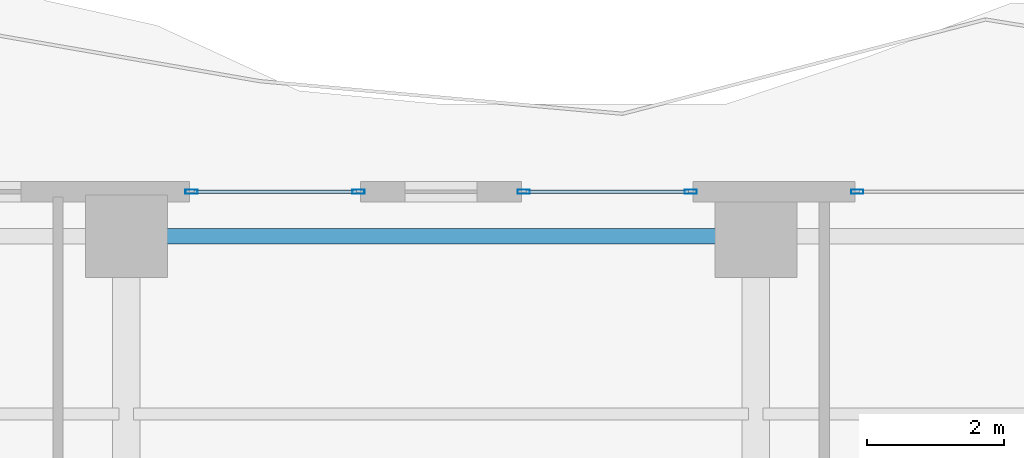
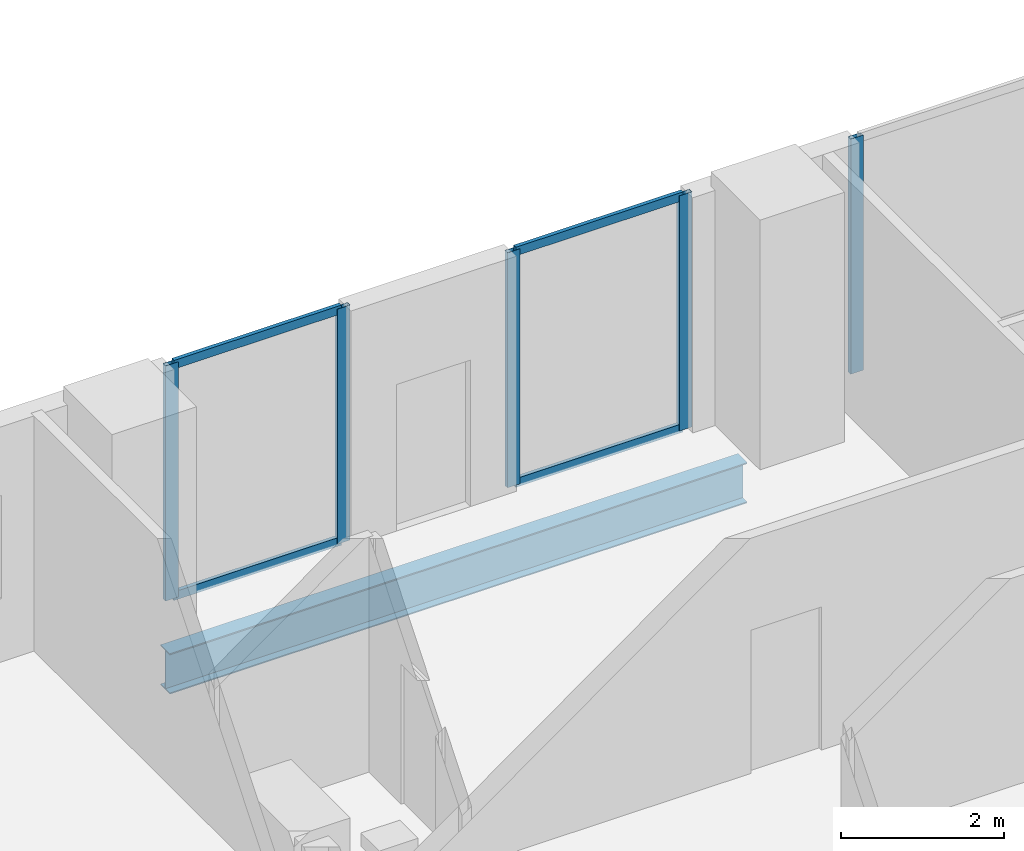
# One storey, part 19 of 32: 9 members, 1 beam, 3 elements without a shape of their own.
"""IFC4 building model written with IfcOpenShell, lengths in metres."""

from ifc_helpers import new_model, si_unit, direction, frame, origin, origin_2d, place, context, subcontext, project, spatial, hollow_rectangle, i_section, extrude, material, layer, layer_set, material_profile, profile_set, type_object, element, aggregate, save


model = new_model("IFC4")

# Units and contexts
model_context = context("Model", 3, precision=1e-05, world=origin(), true_north=direction((0.0, 1.0)))
body_context = subcontext(model_context, "Body", "Model", "MODEL_VIEW")
ifc_project = project(units=[si_unit("LENGTHUNIT", "METRE"), si_unit("AREAUNIT", "SQUARE_METRE"), si_unit("VOLUMEUNIT", "CUBIC_METRE"), si_unit("PLANEANGLEUNIT", "RADIAN"), si_unit("MASSUNIT", "GRAM", prefix="KILO")], contexts=[model_context])

# Site, building, storey
site_placement = place(None, origin())
site = spatial("IfcSite", under=ifc_project, at=site_placement, CompositionType="ELEMENT")
building_placement = place(site_placement, origin())
building = spatial("IfcBuilding", under=site, at=building_placement, Name="Zuhayl Quay Hotel", CompositionType="ELEMENT")
storey_placement = place(building_placement, frame((0.0, 0.0, 188.64990234375)))
storey = spatial("IfcBuildingStorey", under=building, at=storey_placement, Name="L47", CompositionType="ELEMENT", Elevation=188.64990234375)

# Beam
ifc_material_1 = material(Name="Steel ASTM A992 Grade 50", Category="steel")
ifc_material_profile_1 = material_profile(ifc_material_1, i_section(OverallWidth=0.22802734375, OverallDepth=0.60693359375, WebThickness=0.01123046875, FlangeThickness=0.017333984375, at=origin_2d()), Name="W24X76")
ifc_profile_set_1 = profile_set([ifc_material_profile_1], Name="Steel ASTM A992 Grade 50")
beam_type = type_object("IfcBeamType", Name="BM_B3_W24X76", PredefinedType="BEAM", material=ifc_profile_set_1)
beam_placement = place(storey_placement, frame((4.10009765625, 32.949951171875, -0.5234375), z_axis=(-1.0, 0.0, 0.0), x_axis=(0.0, -1.0, 0.0)))
element("IfcBeam", 1, at=beam_placement, inside=storey, type_object=beam_type, Name="L47 Floor Beam RG_L47_08", PredefinedType="BEAM", context=body_context, shape_type="SweptSolid", body=[
    extrude(i_section(OverallWidth=0.22802734375, OverallDepth=0.60693359375, WebThickness=0.01123046875, FlangeThickness=0.017333984375, at=origin_2d()), origin(), (0.0, 0.0, 1.0), 8.2001953125),
])

# Curtain wall, members
ifc_material_2 = material(Name="Anodised Aluminium 6063-T6", Category="aluminium")
ifc_layer = layer(ifc_material_2, 0.175048828125, Name="Anodised Aluminium 6063-T6", Category="aluminium")
ifc_layer_set = layer_set([ifc_layer], Name="Anodised Aluminium 6063-T6")
curtain_wall_type = type_object("IfcCurtainWallType", Name="CW_SYS_Z3", PredefinedType="USERDEFINED", material=ifc_layer_set)
curtain_wall_1_placement = place(storey_placement, origin())
curtain_wall_1 = element("IfcCurtainWall", 2, at=curtain_wall_1_placement, inside=storey, type_object=curtain_wall_type, Name="L47 Curtain Wall ENV_L47_N_CW3", ObjectType="UNITISED CURTAIN WALL", PredefinedType="USERDEFINED")
ifc_material_3 = material(Name="Black-anodised aluminium 6063-T6", Category="aluminium")
ifc_material_profile_2 = material_profile(ifc_material_3, hollow_rectangle(XDim=0.06494140625, YDim=0.179931640625, WallThickness=0.00341796875, at=origin_2d()), Name="ALU180X65")
ifc_profile_set_2 = profile_set([ifc_material_profile_2], Name="Black-anodised aluminium 6063-T6")
member_type_1 = type_object("IfcMemberType", Name="MB_CW_MUL_180", PredefinedType="MULLION", material=ifc_profile_set_2)
member_1_placement = place(storey_placement, frame((-3.6474609375, 33.60009765625, 0.0), z_axis=(0.0, 0.0, 1.0), x_axis=(0.0, 1.0, 0.0)))
member_1 = element("IfcMember", 3, at=member_1_placement, type_object=member_type_1, Name="CW-Z3 mullion 1", PredefinedType="MULLION", context=body_context, shape_type="SweptSolid", body=[
    extrude(hollow_rectangle(XDim=0.06494140625, YDim=0.179931640625, WallThickness=0.00341796875, at=origin_2d()), origin(), (0.0, 0.0, 1.0), 3.530029296875),
])
member_2_placement = place(storey_placement, frame((-1.20751953125, 33.60009765625, 0.0), z_axis=(0.0, 0.0, 1.0), x_axis=(0.0, 1.0, 0.0)))
member_2 = element("IfcMember", 4, at=member_2_placement, type_object=member_type_1, Name="CW-Z3 mullion 2", PredefinedType="MULLION", context=body_context, shape_type="SweptSolid", body=[
    extrude(hollow_rectangle(XDim=0.06494140625, YDim=0.179931640625, WallThickness=0.00341796875, at=origin_2d()), origin(), (0.0, 0.0, 1.0), 3.530029296875),
])

curtain_wall_2_placement = place(storey_placement, origin())
curtain_wall_2 = element("IfcCurtainWall", 5, at=curtain_wall_2_placement, inside=storey, type_object=curtain_wall_type, Name="L47 Curtain Wall ENV_L47_N_CW4", ObjectType="UNITISED CURTAIN WALL", PredefinedType="USERDEFINED")
member_3_placement = place(storey_placement, frame((1.20751953125, 33.60009765625, 0.0), z_axis=(0.0, 0.0, 1.0), x_axis=(0.0, 1.0, 0.0)))
member_3 = element("IfcMember", 6, at=member_3_placement, type_object=member_type_1, Name="CW-Z3 mullion 1", PredefinedType="MULLION", context=body_context, shape_type="SweptSolid", body=[
    extrude(hollow_rectangle(XDim=0.06494140625, YDim=0.179931640625, WallThickness=0.00341796875, at=origin_2d()), origin(), (0.0, 0.0, 1.0), 3.530029296875),
])
member_4_placement = place(storey_placement, frame((3.6474609375, 33.60009765625, 0.0), z_axis=(0.0, 0.0, 1.0), x_axis=(0.0, 1.0, 0.0)))
member_4 = element("IfcMember", 7, at=member_4_placement, type_object=member_type_1, Name="CW-Z3 mullion 2", PredefinedType="MULLION", context=body_context, shape_type="SweptSolid", body=[
    extrude(hollow_rectangle(XDim=0.06494140625, YDim=0.179931640625, WallThickness=0.00341796875, at=origin_2d()), origin(), (0.0, 0.0, 1.0), 3.530029296875),
])

# Curtain wall, member
curtain_wall_3_placement = place(storey_placement, origin())
curtain_wall_3 = element("IfcCurtainWall", 8, at=curtain_wall_3_placement, inside=storey, type_object=curtain_wall_type, Name="L47 Curtain Wall ENV_L47_N_CW5", ObjectType="UNITISED CURTAIN WALL", PredefinedType="USERDEFINED")
member_5_placement = place(storey_placement, frame((6.08251953125, 33.60009765625, 0.0), z_axis=(0.0, 0.0, 1.0), x_axis=(0.0, 1.0, 0.0)))
member_5 = element("IfcMember", 9, at=member_5_placement, type_object=member_type_1, Name="CW-Z3 mullion 1", PredefinedType="MULLION", context=body_context, shape_type="SweptSolid", body=[
    extrude(hollow_rectangle(XDim=0.06494140625, YDim=0.179931640625, WallThickness=0.00341796875, at=origin_2d()), origin(), (0.0, 0.0, 1.0), 3.530029296875),
])
aggregate(curtain_wall_3, [member_5])

# Member
ifc_material_profile_3 = material_profile(ifc_material_3, hollow_rectangle(XDim=0.054931640625, YDim=0.1298828125, WallThickness=0.0029296875, at=origin_2d()), Name="ALU130X55")
ifc_profile_set_3 = profile_set([ifc_material_profile_3], Name="Black-anodised aluminium 6063-T6")
member_type_2 = type_object("IfcMemberType", Name="MB_CW_TRN_130", PredefinedType="USERDEFINED", material=ifc_profile_set_3)
member_6_placement = place(storey_placement, frame((-3.614990234375, 33.60009765625, 0.027587890625), z_axis=(1.0, 0.0, 0.0), x_axis=(0.0, 1.0, 0.0)))
member_6 = element("IfcMember", 10, at=member_6_placement, type_object=member_type_2, Name="CW-Z3 transom 1.1", ObjectType="TRANSOM", PredefinedType="USERDEFINED", context=body_context, shape_type="SweptSolid", body=[
    extrude(hollow_rectangle(XDim=0.054931640625, YDim=0.1298828125, WallThickness=0.0029296875, at=origin_2d()), origin(), (0.0, 0.0, 1.0), 2.375),
])

member_7_placement = place(storey_placement, frame((-3.614990234375, 33.60009765625, 3.502685546875), z_axis=(1.0, 0.0, 0.0), x_axis=(0.0, 1.0, 0.0)))
member_7 = element("IfcMember", 11, at=member_7_placement, type_object=member_type_2, Name="CW-Z3 transom 1.2", ObjectType="TRANSOM", PredefinedType="USERDEFINED", context=body_context, shape_type="SweptSolid", body=[
    extrude(hollow_rectangle(XDim=0.054931640625, YDim=0.1298828125, WallThickness=0.0029296875, at=origin_2d()), origin(), (0.0, 0.0, 1.0), 2.375),
])

aggregate(curtain_wall_1, [member_1, member_2, member_6, member_7])

member_8_placement = place(storey_placement, frame((1.239990234375, 33.60009765625, 0.027587890625), z_axis=(1.0, 0.0, 0.0), x_axis=(0.0, 1.0, 0.0)))
member_8 = element("IfcMember", 12, at=member_8_placement, type_object=member_type_2, Name="CW-Z3 transom 1.1", ObjectType="TRANSOM", PredefinedType="USERDEFINED", context=body_context, shape_type="SweptSolid", body=[
    extrude(hollow_rectangle(XDim=0.054931640625, YDim=0.1298828125, WallThickness=0.0029296875, at=origin_2d()), origin(), (0.0, 0.0, 1.0), 2.375),
])

member_9_placement = place(storey_placement, frame((1.239990234375, 33.60009765625, 3.502685546875), z_axis=(1.0, 0.0, 0.0), x_axis=(0.0, 1.0, 0.0)))
member_9 = element("IfcMember", 13, at=member_9_placement, type_object=member_type_2, Name="CW-Z3 transom 1.2", ObjectType="TRANSOM", PredefinedType="USERDEFINED", context=body_context, shape_type="SweptSolid", body=[
    extrude(hollow_rectangle(XDim=0.054931640625, YDim=0.1298828125, WallThickness=0.0029296875, at=origin_2d()), origin(), (0.0, 0.0, 1.0), 2.375),
])

aggregate(curtain_wall_2, [member_3, member_4, member_8, member_9])

save(model, "model.ifc")
